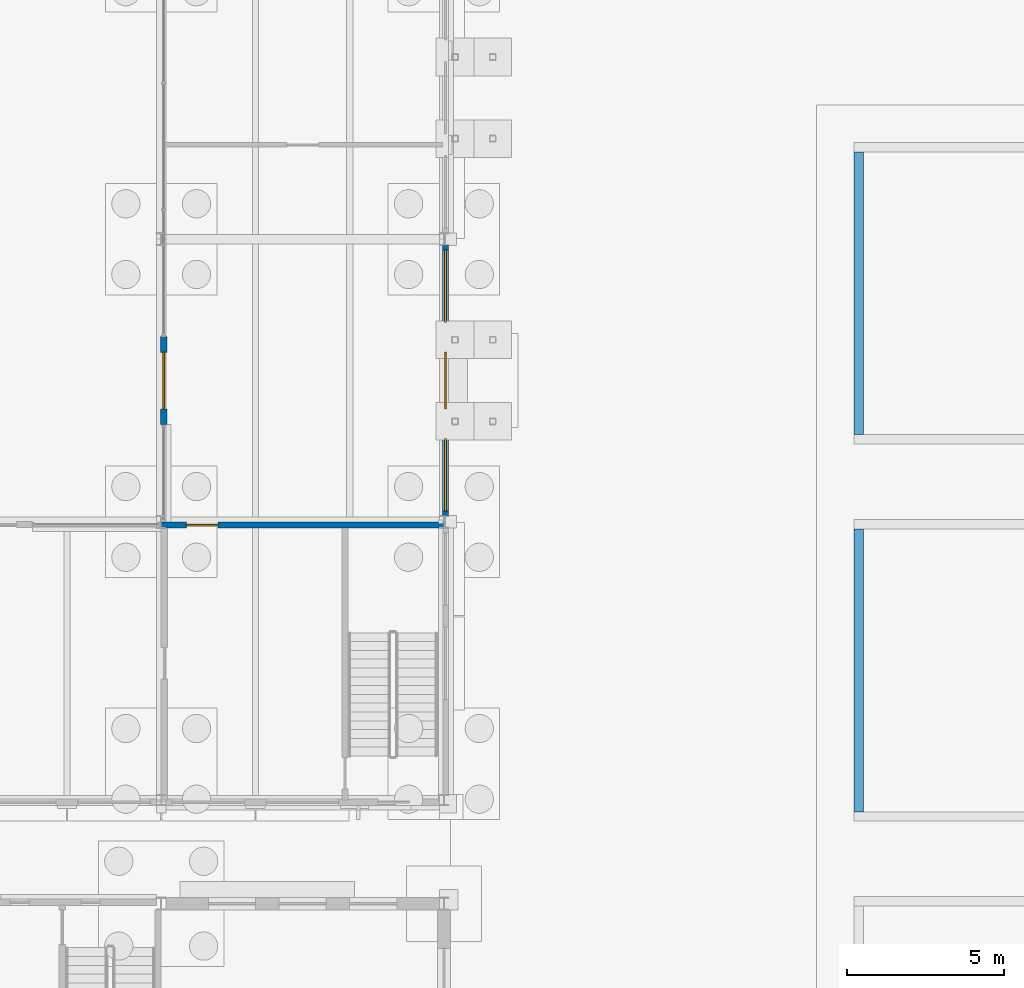
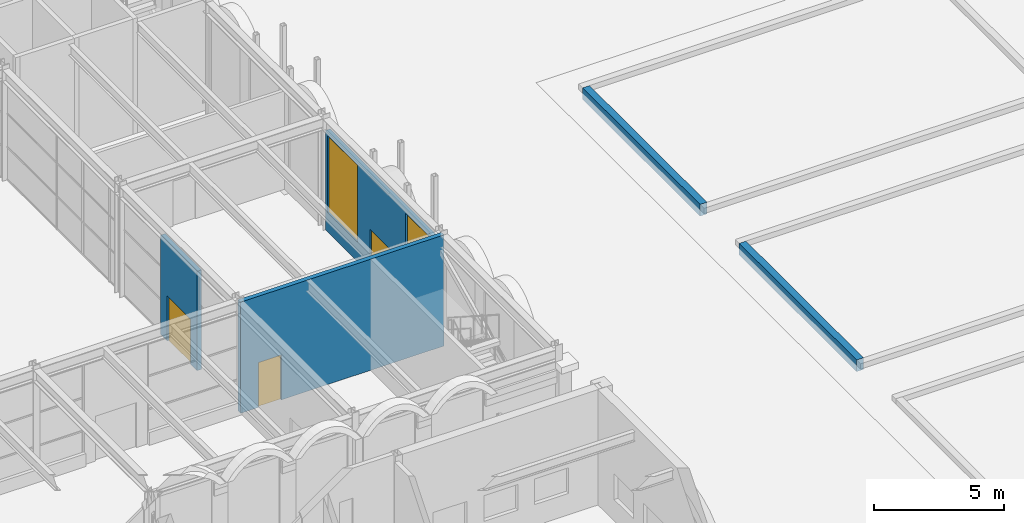
# One storey, part 73 of 126: 5 walls, 3 doors, 2 windows, 5 openings.
"""IFC4 building model written with IfcOpenShell, lengths in metres."""

from ifc_helpers import new_model, si_unit, direction, frame, frame_2d, origin, place, context, subcontext, project, spatial, rectangle, extrude, material, layer, layer_set, type_object, element, fill, save


model = new_model("IFC4")

# Units and contexts
model_context = context("Model", 3, precision=1e-05, world=origin(), true_north=direction((0.0, 1.0)))
body_context = subcontext(model_context, "Body", "Model", "MODEL_VIEW")
ifc_project = project(units=[si_unit("LENGTHUNIT", "METRE"), si_unit("AREAUNIT", "SQUARE_METRE"), si_unit("VOLUMEUNIT", "CUBIC_METRE"), si_unit("PLANEANGLEUNIT", "RADIAN"), si_unit("MASSUNIT", "GRAM", prefix="KILO")], contexts=[model_context])

# Site, building, storey
site_placement = place(None, origin())
site = spatial("IfcSite", under=ifc_project, at=site_placement, CompositionType="ELEMENT")
building_placement = place(site_placement, origin())
building = spatial("IfcBuilding", under=site, at=building_placement, Name="Kallimachos Central Library", CompositionType="ELEMENT")
storey_placement = place(building_placement, origin())
storey = spatial("IfcBuildingStorey", under=building, at=storey_placement, Name="L00", CompositionType="ELEMENT", Elevation=0.0)

# Wall, opening, door
ifc_material_1 = material(Name="Brick masonry", Category="masonry")
ifc_layer_1 = layer(ifc_material_1, 0.199951171875)
ifc_layer_set_1 = layer_set([ifc_layer_1], Name="Atrium screen wall 200")
wall_type_1 = type_object("IfcWallType", Name="Atrium screen wall 200", PredefinedType="SOLIDWALL", material=ifc_layer_set_1)
wall_1_placement = place(storey_placement, frame((101.580078125, 60.10009765625, 0.0), z_axis=(0.0, 0.0, 1.0), x_axis=(0.0, 1.0, 0.0)))
wall_1 = element("IfcWall", 1, at=wall_1_placement, inside=storey, type_object=wall_type_1, Name="L00 atrium screen wall E", PredefinedType="SOLIDWALL", context=body_context, shape_type="SweptSolid", body=[
    extrude(rectangle(XDim=2.7998046875, YDim=0.199951171875, at=frame_2d((1.39990234375, 0.0))), origin(), (0.0, 0.0, 1.0), 4.64990234375),
])
opening_1_placement = place(wall_1_placement, frame((0.5, 0.0, 0.0)))
opening_1 = element("IfcOpeningElement", 2, at=opening_1_placement, cuts=wall_1, Name="Opening D43", PredefinedType="OPENING", context=body_context, shape_type="SweptSolid", body=[
    extrude(rectangle(XDim=1.800048828125, YDim=2.10009765625, at=frame_2d((0.89990234375, 1.050048828125))), frame((0.0, 0.10986328125, 0.0), z_axis=(0.0, -1.0, 0.0), x_axis=(1.0, 0.0, 0.0)), (0.0, 0.0, 1.0), 0.219970703125),
])
ifc_material_2 = material(Name="Timber and glass", Category="wood")
door_type_1 = type_object("IfcDoorType", Name="Double leaf door 1800 x 2100, EI2 90", OperationType="DOUBLE_DOOR_SINGLE_SWING", PredefinedType="DOOR", material=ifc_material_2)
door_1_placement = place(opening_1_placement, origin())
door_1 = element("IfcDoor", 3, at=door_1_placement, inside=storey, type_object=door_type_1, Name="Atrium Door E", OperationType="DOUBLE_DOOR_SINGLE_SWING", OverallHeight=2.10009765625, OverallWidth=1.800048828125, PredefinedType="DOOR", context=body_context, shape_type="SweptSolid", body=[
    extrude(rectangle(XDim=1.800048828125, YDim=2.10009765625, at=frame_2d((0.89990234375, 1.050048828125))), frame((0.0, 0.02490234375, 0.0), z_axis=(0.0, -1.0, 0.0), x_axis=(1.0, 0.0, 0.0)), (0.0, 0.0, 1.0), 0.050048828125),
])
fill(opening_1, door_1)

# Walls
ifc_material_3 = material(Name="Granite kerb stone", Category="masonry")
ifc_layer_2 = layer(ifc_material_3, 0.300048828125)
ifc_layer_set_2 = layer_set([ifc_layer_2], Name="Granite kerb 300")
wall_type_2 = type_object("IfcWallType", Name="Granite kerb 300", PredefinedType="SOLIDWALL", material=ifc_layer_set_2)
for number, where, z_axis, x_axis, name in (
    (4, (123.699951171875, 47.77490234375, -0.300048828125), (0.0, 0.0, 1.0), (0.0, 1.0, 0.0), "Garden bed kerb west 122-46"),
    (5, (123.699951171875, 59.77490234375, -0.300048828125), (0.0, 0.0, 1.0), (0.0, 1.0, 0.0), "Garden bed kerb west 122-58"),
):
    element("IfcWall", number, at=place(storey_placement, frame(where, z_axis=z_axis, x_axis=x_axis)), inside=storey, type_object=wall_type_2, Name=name, PredefinedType="SOLIDWALL", context=body_context, shape_type="SweptSolid", body=[
        extrude(rectangle(XDim=9.0, YDim=0.300048828125, at=frame_2d((4.5, 0.0))), origin(), (0.0, 0.0, 1.0), 0.550048828125),
    ])

# Wall, opening, door
ifc_material_4 = material(Name="Concrete C35/45", Category="concrete")
ifc_layer_3 = layer(ifc_material_4, 0.199951171875)
ifc_layer_set_3 = layer_set([ifc_layer_3], Name="Shear core wall 200, internal")
wall_type_3 = type_object("IfcWallType", Name="Shear core wall 200, internal", PredefinedType="SHEAR", material=ifc_layer_set_3)
wall_2_placement = place(storey_placement, frame((101.5, 56.89990234375, 0.0), z_axis=(0.0, 0.0, 1.0), x_axis=(1.0, 0.0, 0.0)))
wall_2 = element("IfcWall", 6, at=wall_2_placement, inside=storey, type_object=wall_type_3, Name="L00 core wall V4-SE N", PredefinedType="SHEAR", context=body_context, shape_type="SweptSolid", body=[
    extrude(rectangle(XDim=9.0, YDim=0.199951171875, at=frame_2d((4.5, 0.0))), origin(), (0.0, 0.0, 1.0), 5.199951171875),
])
opening_2_placement = place(wall_2_placement, frame((0.800048828125, 0.0, 0.0)))
opening_2 = element("IfcOpeningElement", 7, at=opening_2_placement, cuts=wall_2, Name="Opening D176", PredefinedType="OPENING", context=body_context, shape_type="SweptSolid", body=[
    extrude(rectangle(XDim=1.0, YDim=2.10009765625, at=frame_2d((0.5, 1.050048828125))), frame((0.0, 0.10986328125, 0.0), z_axis=(0.0, -1.0, 0.0), x_axis=(1.0, 0.0, 0.0)), (0.0, 0.0, 1.0), 0.219970703125),
])
ifc_material_5 = material(Name="Timber", Category="wood")
door_type_2 = type_object("IfcDoorType", Name="Single leaf door 1000 x 2100, EI2 90", OperationType="NOTDEFINED", PredefinedType="DOOR", material=ifc_material_5)
door_2_placement = place(opening_2_placement, frame((1.0, 0.0, 0.0), z_axis=(0.0, 0.0, 1.0), x_axis=(-1.0, 0.0, 0.0)))
door_2 = element("IfcDoor", 8, at=door_2_placement, inside=storey, type_object=door_type_2, Name="L00 core door V4-SE", OperationType="SINGLE_SWING_LEFT", OverallHeight=2.10009765625, OverallWidth=1.0, PredefinedType="DOOR", context=body_context, shape_type="SweptSolid", body=[
    extrude(rectangle(XDim=1.0, YDim=2.10009765625, at=frame_2d((0.5, 1.050048828125))), frame((0.0, 0.02490234375, 0.0), z_axis=(0.0, -1.0, 0.0), x_axis=(1.0, 0.0, 0.0)), (0.0, 0.0, 1.0), 0.050048828125),
])
fill(opening_2, door_2)

# Wall, openings, door, windows
ifc_material_6 = material(Name="Brick masonry with Pentelic marble cladding", Category="masonry")
ifc_layer_4 = layer(ifc_material_6, 0.199951171875)
ifc_layer_set_4 = layer_set([ifc_layer_4], Name="Stone-clad masonry wall 200")
wall_type_4 = type_object("IfcWallType", Name="Stone-clad masonry wall 200", PredefinedType="SOLIDWALL", material=ifc_layer_set_4)
wall_3_placement = place(storey_placement, frame((110.550048828125, 57.199951171875, 0.0), z_axis=(0.0, 0.0, 1.0), x_axis=(0.0, 1.0, 0.0)))
wall_3 = element("IfcWall", 9, at=wall_3_placement, inside=storey, type_object=wall_type_4, Name="V4-WAL-L00-030", PredefinedType="SOLIDWALL", context=body_context, shape_type="SweptSolid", body=[
    extrude(rectangle(XDim=8.60009765625, YDim=0.199951171875, at=frame_2d((4.300048828125, 0.0))), origin(), (0.0, 0.0, 1.0), 4.64990234375),
])
opening_3_placement = place(wall_3_placement, frame((3.39990234375, 0.0, 0.0)))
opening_3 = element("IfcOpeningElement", 10, at=opening_3_placement, cuts=wall_3, Name="Opening D31", PredefinedType="OPENING", context=body_context, shape_type="SweptSolid", body=[
    extrude(rectangle(XDim=1.800048828125, YDim=2.10009765625, at=frame_2d((0.89990234375, 1.050048828125))), frame((0.0, 0.10986328125, 0.0), z_axis=(0.0, -1.0, 0.0), x_axis=(1.0, 0.0, 0.0)), (0.0, 0.0, 1.0), 0.219970703125),
])
opening_4_placement = place(wall_3_placement, frame((0.14990234375, 0.0, 0.89990234375)))
opening_4 = element("IfcOpeningElement", 11, at=opening_4_placement, cuts=wall_3, Name="Opening WN160", PredefinedType="OPENING", context=body_context, shape_type="SweptSolid", body=[
    extrude(rectangle(XDim=2.300048828125, YDim=3.60009765625, at=frame_2d((1.14990234375, 1.800048828125))), frame((0.0, 0.10986328125, 0.0), z_axis=(0.0, -1.0, 0.0), x_axis=(1.0, 0.0, 0.0)), (0.0, 0.0, 1.0), 0.219970703125),
])
opening_5_placement = place(wall_3_placement, frame((6.14990234375, 0.0, 0.89990234375)))
opening_5 = element("IfcOpeningElement", 12, at=opening_5_placement, cuts=wall_3, Name="Opening WN160", PredefinedType="OPENING", context=body_context, shape_type="SweptSolid", body=[
    extrude(rectangle(XDim=2.300048828125, YDim=3.60009765625, at=frame_2d((1.14990234375, 1.800048828125))), frame((0.0, 0.10986328125, 0.0), z_axis=(0.0, -1.0, 0.0), x_axis=(1.0, 0.0, 0.0)), (0.0, 0.0, 1.0), 0.219970703125),
])
ifc_material_7 = material(Name="Timber and glass", Category="wood")
door_type_3 = type_object("IfcDoorType", Name="Double leaf door 1800 x 2100", OperationType="DOUBLE_DOOR_SINGLE_SWING", PredefinedType="DOOR", material=ifc_material_7)
door_3_placement = place(opening_3_placement, frame((1.800048828125, 0.0, 0.0), z_axis=(0.0, 0.0, 1.0), x_axis=(-1.0, 0.0, 0.0)))
door_3 = element("IfcDoor", 13, at=door_3_placement, inside=storey, type_object=door_type_3, Name="Entrance Door", OperationType="DOUBLE_DOOR_SINGLE_SWING", OverallHeight=2.10009765625, OverallWidth=1.800048828125, PredefinedType="DOOR", context=body_context, shape_type="SweptSolid", body=[
    extrude(rectangle(XDim=1.800048828125, YDim=2.10009765625, at=frame_2d((0.89990234375, 1.050048828125))), frame((0.0, 0.02490234375, 0.0), z_axis=(0.0, -1.0, 0.0), x_axis=(1.0, 0.0, 0.0)), (0.0, 0.0, 1.0), 0.050048828125),
])
fill(opening_3, door_3)
ifc_material_8 = material(Name="Anodised aluminium and laminated glass", Category="aluminium")
window_type = type_object("IfcWindowType", Name="Window 2300 x 3600", PartitioningType="DOUBLE_PANEL_VERTICAL", PredefinedType="WINDOW", material=ifc_material_8)
window_1_placement = place(opening_4_placement, origin())
window_1 = element("IfcWindow", 14, at=window_1_placement, inside=storey, type_object=window_type, Name="V4-WIN-L00-038", OverallHeight=3.60009765625, OverallWidth=2.300048828125, PartitioningType="SINGLE_PANEL", PredefinedType="WINDOW", context=body_context, shape_type="SweptSolid", body=[
    extrude(rectangle(XDim=2.300048828125, YDim=3.60009765625, at=frame_2d((1.14990234375, 1.800048828125))), frame((0.0, 0.030029296875, 0.0), z_axis=(0.0, -1.0, 0.0), x_axis=(1.0, 0.0, 0.0)), (0.0, 0.0, 1.0), 0.06005859375),
])
fill(opening_4, window_1)
window_2_placement = place(opening_5_placement, origin())
window_2 = element("IfcWindow", 15, at=window_2_placement, inside=storey, type_object=window_type, Name="V4-WIN-L00-039", OverallHeight=3.60009765625, OverallWidth=2.300048828125, PartitioningType="SINGLE_PANEL", PredefinedType="WINDOW", context=body_context, shape_type="SweptSolid", body=[
    extrude(rectangle(XDim=2.300048828125, YDim=3.60009765625, at=frame_2d((1.14990234375, 1.800048828125))), frame((0.0, 0.030029296875, 0.0), z_axis=(0.0, -1.0, 0.0), x_axis=(1.0, 0.0, 0.0)), (0.0, 0.0, 1.0), 0.06005859375),
])
fill(opening_5, window_2)

save(model, "model.ifc")
